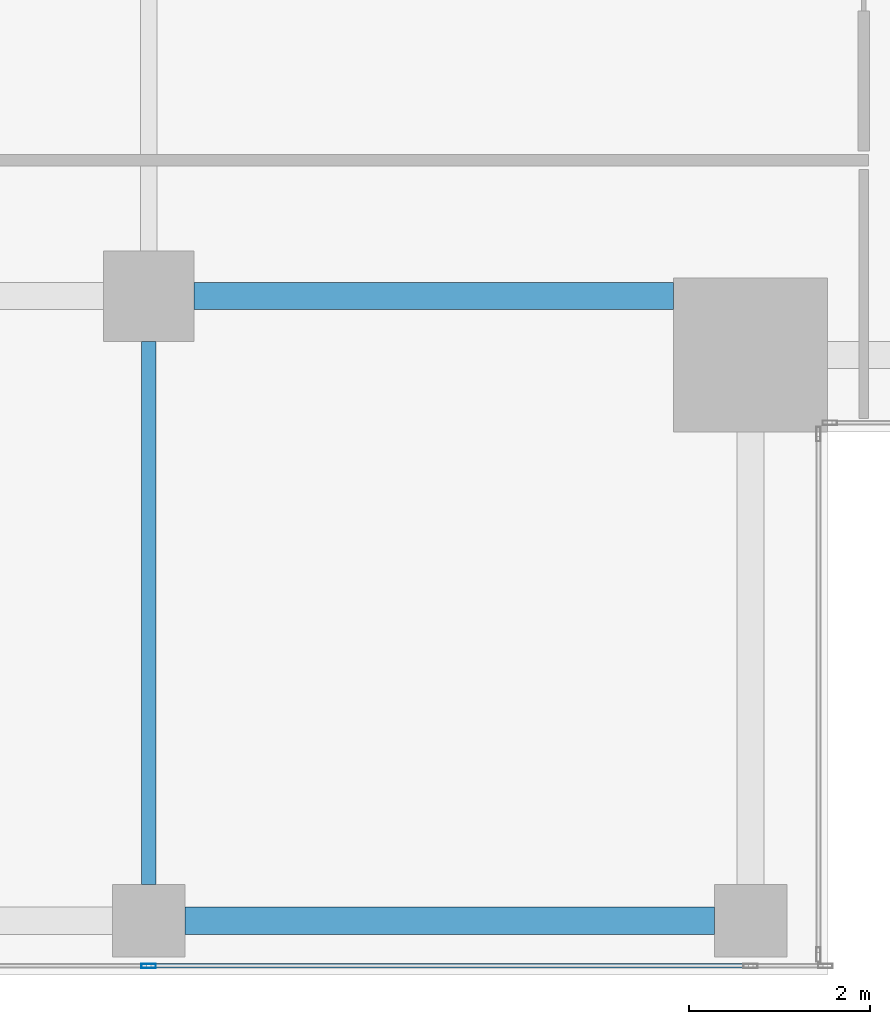
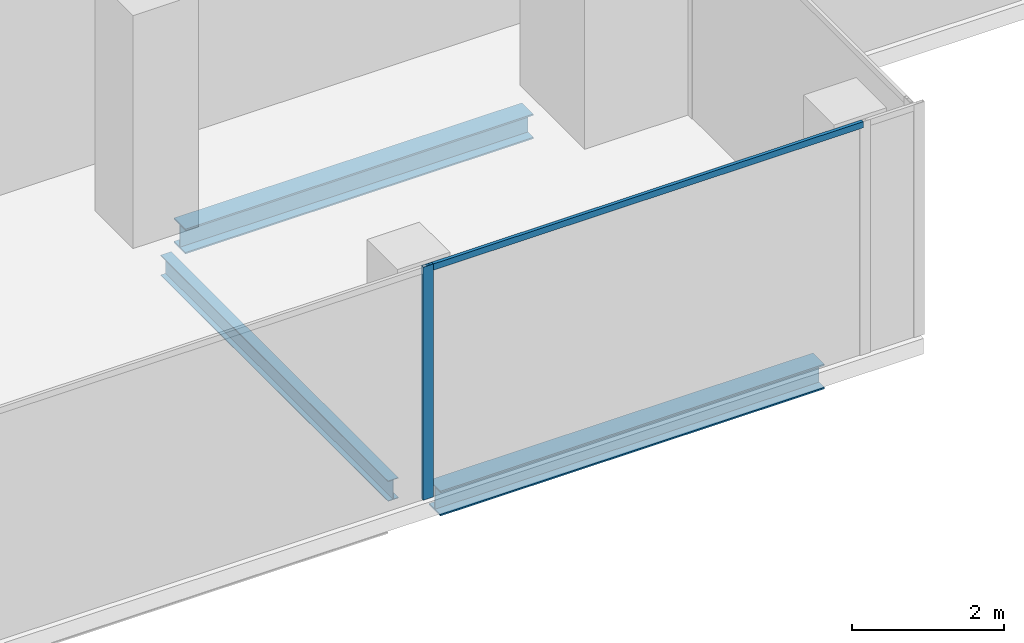
# One storey, part 7 of 29: 3 beams, 2 members, 1 element without a shape of its own.
"""IFC4 building model written with IfcOpenShell, lengths in metres."""

import ifcopenshell
import ifcopenshell.guid

model = None  # the IFC model being written
_history = None  # IfcOwnerHistory: only IFC2X3 demands one
_inside = {}  # id of a spatial element -> (the spatial element, [elements in it])
_under = {}  # id of a project, library or spatial element -> (it, [spatial elements below it])
_declared = {}  # id of a project -> (the project, [libraries it declares])
_typed = {}  # id of a type object -> (the type object, [elements of that type])
_made_of = {}  # id of a material, layer set ... -> (it, [elements and type objects made of it])


def new_model(schema):
    """Start an empty IFC model of exactly this schema.

    Asked for "IFC4X3", IfcOpenShell would pick the latest addendum, in which some entities
    have other attributes; the version numbers below select the first issue.
    IFC2X3 requires an IfcOwnerHistory on every rooted entity: one is made here for all.
    """
    global model, _history
    if schema == "IFC4X3":
        model = ifcopenshell.file(schema_version=(4, 3, 0, 0))
    else:
        model = ifcopenshell.file(schema=schema)
    _inside.clear()
    _under.clear()
    _declared.clear()
    _typed.clear()
    _made_of.clear()
    _history = None
    if model.schema == "IFC2X3":
        org = make("IfcOrganization", Name="unknown")
        user = make(
            "IfcPersonAndOrganization",
            ThePerson=make("IfcPerson", FamilyName="unknown"),
            TheOrganization=org,
        )
        app = make(
            "IfcApplication",
            ApplicationDeveloper=org,
            Version="unknown",
            ApplicationFullName="unknown",
            ApplicationIdentifier="unknown",
        )
        _history = make(
            "IfcOwnerHistory",
            OwningUser=user,
            OwningApplication=app,
            ChangeAction="ADDED",
            CreationDate=0,
        )
    return model


def make(cls, **values):
    """One entity of the class cls with the attributes given. An attribute that is None is left unset."""
    return model.create_entity(
        cls, **{name: value for name, value in values.items() if value is not None}
    )


def rooted(cls, **values):
    """An entity with a GlobalId (a new one), such as an element, a storey or a relation."""
    return make(cls, GlobalId=ifcopenshell.guid.new(), OwnerHistory=_history, **values)


def si_unit(unit_type, name, prefix=None):
    """IfcSIUnit, for example si_unit("LENGTHUNIT", "METRE", prefix="MILLI")."""
    return make("IfcSIUnit", UnitType=unit_type, Prefix=prefix, Name=name)


def assignment(units):
    """IfcUnitAssignment: the units of a project."""
    return None if units is None else make("IfcUnitAssignment", Units=units)


def point(xyz):
    """IfcCartesianPoint."""
    return None if xyz is None else make("IfcCartesianPoint", Coordinates=xyz)


def direction(xyz):
    """IfcDirection."""
    return None if xyz is None else make("IfcDirection", DirectionRatios=xyz)


def frame(location, z_axis=None, x_axis=None):
    """IfcAxis2Placement3D, a coordinate frame: its origin and axes. An axis left out is left unset."""
    return make(
        "IfcAxis2Placement3D",
        Location=point(location),
        Axis=direction(z_axis),
        RefDirection=direction(x_axis),
    )


def frame_2d(location, x_axis=None):
    """IfcAxis2Placement2D, a coordinate frame in the plane: its origin and x axis."""
    return make(
        "IfcAxis2Placement2D", Location=point(location), RefDirection=direction(x_axis)
    )


def origin():
    """The frame at (0, 0, 0) with its axes left unset."""
    return frame((0.0, 0.0, 0.0))


def origin_2d():
    """The frame at (0, 0) in the plane with its x axis left unset."""
    return frame_2d((0.0, 0.0))


def place(relative_to, where):
    """IfcLocalPlacement: puts the frame where relative to a parent placement (None: the world)."""
    return make(
        "IfcLocalPlacement", PlacementRelTo=relative_to, RelativePlacement=where
    )


def context(
    kind, dimensions, precision=None, world=None, true_north=None, identifier=None
):
    """IfcGeometricRepresentationContext, for example the 3D "Model" context."""
    return make(
        "IfcGeometricRepresentationContext",
        ContextIdentifier=identifier,
        ContextType=kind,
        CoordinateSpaceDimension=dimensions,
        Precision=precision,
        WorldCoordinateSystem=world,
        TrueNorth=true_north,
    )


def subcontext(parent, identifier, kind, view, scale=None):
    """IfcGeometricRepresentationSubContext, for example "Body" below "Model"."""
    return make(
        "IfcGeometricRepresentationSubContext",
        ContextIdentifier=identifier,
        ContextType=kind,
        ParentContext=parent,
        TargetScale=scale,
        TargetView=view,
    )


def project(units=None, contexts=None):
    """IfcProject with its units and contexts."""
    return rooted(
        "IfcProject",
        Name="project",
        RepresentationContexts=contexts,
        UnitsInContext=assignment(units),
    )


def spatial(cls, under=None, at=None, **own):
    """A site, building, storey or space (cls), placed at a placement, below another one or the project."""
    s = rooted(cls, ObjectPlacement=at, **own)
    if under is not None:
        _under.setdefault(under.id(), (under, []))[1].append(s)
    return s


def profile(cls, at=None, kind="AREA", **sizes):
    """A parametric profile (cls). Its sizes go by their IFC names, for example OverallWidth=200.0."""
    return make(cls, ProfileType=kind, Position=at, **sizes)


def hollow_rectangle(**sizes):
    """IfcRectangleHollowProfileDef."""
    return profile("IfcRectangleHollowProfileDef", **sizes)


def i_section(**sizes):
    """IfcIShapeProfileDef."""
    return profile("IfcIShapeProfileDef", **sizes)


def extrude(swept, where, along, depth):
    """IfcExtrudedAreaSolid: the profile swept, set in the frame where, extruded along a direction by depth."""
    return make(
        "IfcExtrudedAreaSolid",
        SweptArea=swept,
        Position=where,
        ExtrudedDirection=direction(along),
        Depth=depth,
    )


def shape(context_of_items, identifier, shape_type, items):
    """IfcShapeRepresentation: the items that make up one representation, for example the "Body"."""
    return make(
        "IfcShapeRepresentation",
        ContextOfItems=context_of_items,
        RepresentationIdentifier=identifier,
        RepresentationType=shape_type,
        Items=items,
    )


def source(mapping_origin, context_of_items, identifier, shape_type, items):
    """IfcRepresentationMap: a shape defined once, which mapped items show again and again."""
    return make(
        "IfcRepresentationMap",
        MappingOrigin=mapping_origin,
        MappedRepresentation=shape(context_of_items, identifier, shape_type, items),
    )


def transform(
    local_origin,
    x_axis=None,
    y_axis=None,
    z_axis=None,
    scale=None,
    scale2=None,
    scale3=None,
    uniform=True,
):
    """IfcCartesianTransformationOperator3D, or its non-uniform kind. x_axis, y_axis, z_axis: its Axis1, 2, 3."""
    if uniform:
        return make(
            "IfcCartesianTransformationOperator3D",
            Axis1=direction(x_axis),
            Axis2=direction(y_axis),
            LocalOrigin=point(local_origin),
            Scale=scale,
            Axis3=direction(z_axis),
        )
    return make(
        "IfcCartesianTransformationOperator3DnonUniform",
        Axis1=direction(x_axis),
        Axis2=direction(y_axis),
        LocalOrigin=point(local_origin),
        Scale=scale,
        Axis3=direction(z_axis),
        Scale2=scale2,
        Scale3=scale3,
    )


def mapped(mapping_source, mapping_target):
    """IfcMappedItem: shows the shape of a source again, moved by a transform."""
    return make(
        "IfcMappedItem", MappingSource=mapping_source, MappingTarget=mapping_target
    )


def material(Name=None, Category=None):
    """IfcMaterial."""
    return make("IfcMaterial", Name=Name, Category=Category)


def material_profile(
    of_material, cross_section, Name=None, Category=None, Priority=None
):
    """IfcMaterialProfile: a cross section and its material."""
    return make(
        "IfcMaterialProfile",
        Name=Name,
        Material=of_material,
        Profile=cross_section,
        Priority=Priority,
        Category=Category,
    )


def profile_set(profiles, Name=None, composite=None):
    """IfcMaterialProfileSet."""
    return make(
        "IfcMaterialProfileSet",
        Name=Name,
        MaterialProfiles=profiles,
        CompositeProfile=composite,
    )


def made_of(thing, what):
    """Note that an element or type object is made of a material, layer set ...; save() writes the relation."""
    if what is not None:
        _made_of.setdefault(what.id(), (what, []))[1].append(thing)
    return thing


def type_object(cls, material=None, **own):
    """A type object (cls), such as IfcWallType, which elements share."""
    return made_of(rooted(cls, **own), material)


def element(
    cls,
    number,
    at=None,
    inside=None,
    cuts=None,
    type_object=None,
    material=None,
    context=None,
    identifier="Body",
    shape_type=None,
    held_by="IfcProductDefinitionShape",
    body=None,
    shapes=None,
    **own,
):
    """One element of the class cls, such as IfcWall. Its Tag is "e" and its number.

    at: its placement. inside: the storey or other place that contains it. cuts: it is an
    opening in that element (IfcRelVoidsElement). A single representation is given by context,
    identifier, shape_type and body (its items); several are given by shapes. held_by: the class
    of the entity that holds the representations. save() writes the other relations.
    """
    e = rooted(cls, Tag="e%d" % number, ObjectPlacement=at, **own)
    if body is not None:
        shapes = [shape(context, identifier, shape_type, body)]
    if shapes is not None:
        e.Representation = make(held_by, Representations=shapes)
    if inside is not None:
        _inside.setdefault(inside.id(), (inside, []))[1].append(e)
    if cuts is not None:
        rooted(
            "IfcRelVoidsElement", RelatingBuildingElement=cuts, RelatedOpeningElement=e
        )
    if type_object is not None:
        _typed.setdefault(type_object.id(), (type_object, []))[1].append(e)
    return made_of(e, material)


def aggregate(whole, parts):
    """IfcRelAggregates: a whole, such as a stair, and the parts it consists of."""
    return rooted("IfcRelAggregates", RelatingObject=whole, RelatedObjects=parts)


def save(model, path):
    """Write the relations noted so far, then the file.

    IfcRelAggregates (storeys below a building ...), IfcRelContainedInSpatialStructure (elements
    in a storey), IfcRelDefinesByType, IfcRelAssociatesMaterial and IfcRelDeclares: one each for
    every whole, place, type object, material and project.
    """
    for whole, parts in _under.values():
        aggregate(whole, parts)
    for where, things in _inside.values():
        rooted(
            "IfcRelContainedInSpatialStructure",
            RelatedElements=things,
            RelatingStructure=where,
        )
    for kind, things in _typed.values():
        rooted("IfcRelDefinesByType", RelatedObjects=things, RelatingType=kind)
    for what, things in _made_of.values():
        rooted("IfcRelAssociatesMaterial", RelatedObjects=things, RelatingMaterial=what)
    for by, libraries in _declared.values():
        rooted("IfcRelDeclares", RelatingContext=by, RelatedDefinitions=libraries)
    model.write(path)


model = new_model("IFC4")

# Units and contexts
model_context = context("Model", 3, precision=1e-05, world=origin(), true_north=direction((0.0, 1.0)))
body_context = subcontext(model_context, "Body", "Model", "MODEL_VIEW")
ifc_project = project(units=[si_unit("LENGTHUNIT", "METRE"), si_unit("AREAUNIT", "SQUARE_METRE"), si_unit("VOLUMEUNIT", "CUBIC_METRE"), si_unit("PLANEANGLEUNIT", "RADIAN"), si_unit("MASSUNIT", "GRAM", prefix="KILO")], contexts=[model_context])

# Site, building, storey
site_placement = place(None, origin())
site = spatial("IfcSite", under=ifc_project, at=site_placement, CompositionType="ELEMENT")
building_placement = place(site_placement, origin())
building = spatial("IfcBuilding", under=site, at=building_placement, Name="Khomas Fold Tower", CompositionType="ELEMENT")
storey_placement = place(building_placement, frame((0.0, 0.0, 314.199951171875)))
storey = spatial("IfcBuildingStorey", under=building, at=storey_placement, Name="L71", CompositionType="ELEMENT", Elevation=314.199951171875)

# Beams
ifc_material_1 = material(Name="Steel S355", Category="steel")
ifc_material_profile_1 = material_profile(ifc_material_1, i_section(OverallWidth=0.300048828125, OverallDepth=0.39990234375, WebThickness=0.013427734375, FlangeThickness=0.02392578125, at=origin_2d()), Name="HE 400 B")
ifc_profile_set_1 = profile_set([ifc_material_profile_1], Name="Steel S355")
beam_type_1 = type_object("IfcBeamType", Name="HE 400 B spandrel SB5", PredefinedType="SPANDREL", material=ifc_profile_set_1)
shared_shape_1 = source(origin(), body_context, "Body", "SweptSolid", [
    extrude(i_section(OverallWidth=0.300048828125, OverallDepth=0.39990234375, WebThickness=0.013427734375, FlangeThickness=0.02392578125, at=origin_2d()), origin(), (0.0, 0.0, 1.0), 5.85009765625),
])
beam_1_placement = place(storey_placement, frame((34.89990234375, 6.60009765625, -0.449951171875), z_axis=(1.0, 0.0, 0.0), x_axis=(0.0, 1.0, 0.0)))
element("IfcBeam", 1, at=beam_1_placement, inside=storey, type_object=beam_type_1, Name="SB5", PredefinedType="SPANDREL", context=body_context, shape_type="MappedRepresentation", body=[
    mapped(shared_shape_1, transform((0.0, 0.0, 0.0))),
])
ifc_material_2 = material(Name="Steel S355", Category="steel")
ifc_material_profile_2 = material_profile(ifc_material_2, i_section(OverallWidth=0.300048828125, OverallDepth=0.39990234375, WebThickness=0.013427734375, FlangeThickness=0.02392578125, at=origin_2d()), Name="HE 400 B")
ifc_profile_set_2 = profile_set([ifc_material_profile_2], Name="Steel S355")
beam_type_2 = type_object("IfcBeamType", Name="HE 400 B beam GB1", PredefinedType="BEAM", material=ifc_profile_set_2)
shared_shape_2 = source(origin(), body_context, "Body", "SweptSolid", [
    extrude(i_section(OverallWidth=0.300048828125, OverallDepth=0.39990234375, WebThickness=0.013427734375, FlangeThickness=0.02392578125, at=origin_2d()), origin(), (0.0, 0.0, 1.0), 5.300048828125),
])
beam_2_placement = place(storey_placement, frame((35.0, 13.5, -0.449951171875), z_axis=(1.0, 0.0, 0.0), x_axis=(0.0, 1.0, 0.0)))
element("IfcBeam", 2, at=beam_2_placement, inside=storey, type_object=beam_type_2, Name="GB1", PredefinedType="BEAM", context=body_context, shape_type="MappedRepresentation", body=[
    mapped(shared_shape_2, transform((0.0, 0.0, 0.0))),
])
ifc_material_3 = material(Name="Steel S355", Category="steel")
ifc_material_profile_3 = material_profile(ifc_material_3, i_section(OverallWidth=0.159912109375, OverallDepth=0.330078125, WebThickness=0.007568359375, FlangeThickness=0.011474609375, at=origin_2d()), Name="IPE 330")
ifc_profile_set_3 = profile_set([ifc_material_profile_3], Name="Steel S355")
beam_type_3 = type_object("IfcBeamType", Name="IPE 330 beam JB1", PredefinedType="BEAM", material=ifc_profile_set_3)
shared_shape_3 = source(origin(), body_context, "Body", "SweptSolid", [
    extrude(i_section(OverallWidth=0.159912109375, OverallDepth=0.330078125, WebThickness=0.007568359375, FlangeThickness=0.011474609375, at=origin_2d()), origin(), (0.0, 0.0, 1.0), 6.0),
])
beam_3_placement = place(storey_placement, frame((34.5, 7.0, -0.4150390625), z_axis=(0.0, 1.0, 0.0), x_axis=(-1.0, 0.0, 0.0)))
element("IfcBeam", 3, at=beam_3_placement, inside=storey, type_object=beam_type_3, Name="JB1", PredefinedType="BEAM", context=body_context, shape_type="MappedRepresentation", body=[
    mapped(shared_shape_3, transform((0.0, 0.0, 0.0))),
])

# Curtain wall, members
ifc_material_4 = material(Name="Aluminium framed double glazing", Category="aluminium")
curtain_wall_type = type_object("IfcCurtainWallType", Name="SK-Unitised clear-glass wall, upper floors CW3", PredefinedType="NOTDEFINED", material=ifc_material_4)
curtain_wall_placement = place(storey_placement, origin())
curtain_wall = element("IfcCurtainWall", 4, at=curtain_wall_placement, inside=storey, type_object=curtain_wall_type, Name="CW3 run L71 00-0", PredefinedType="NOTDEFINED")
ifc_material_5 = material(Name="Aluminium", Category="aluminium")
ifc_material_profile_4 = material_profile(ifc_material_5, hollow_rectangle(XDim=0.050048828125, YDim=0.159912109375, WallThickness=0.00390625, at=origin_2d()), Name="SK-Unitised clear-glass wall, upper floors mullion CW3-M")
ifc_profile_set_4 = profile_set([ifc_material_profile_4], Name="Aluminium")
member_type_1 = type_object("IfcMemberType", Name="SK-Unitised clear-glass wall, upper floors mullion CW3-M", PredefinedType="MULLION", material=ifc_profile_set_4)
shared_shape_4 = source(origin(), body_context, "Body", "SweptSolid", [
    extrude(hollow_rectangle(XDim=0.050048828125, YDim=0.159912109375, WallThickness=0.00390625, at=origin_2d()), origin(), (0.0, 0.0, 1.0), 3.75),
])
member_1_placement = place(storey_placement, frame((34.5, 6.10009765625, 0.0), z_axis=(0.0, 0.0, 1.0), x_axis=(0.0, 1.0, 0.0)))
member_1 = element("IfcMember", 5, at=member_1_placement, type_object=member_type_1, Name="CW3 mullion 5", PredefinedType="MULLION", context=body_context, shape_type="MappedRepresentation", body=[
    mapped(shared_shape_4, transform((0.0, 0.0, 0.0))),
])
ifc_material_6 = material(Name="Aluminium", Category="aluminium")
ifc_material_profile_5 = material_profile(ifc_material_6, hollow_rectangle(XDim=0.050048828125, YDim=0.10009765625, WallThickness=0.00390625, at=origin_2d()), Name="SK-Unitised clear-glass wall, upper floors transom CW3-T")
ifc_profile_set_5 = profile_set([ifc_material_profile_5], Name="Aluminium")
member_type_2 = type_object("IfcMemberType", Name="SK-Unitised clear-glass wall, upper floors transom CW3-T", PredefinedType="USERDEFINED", material=ifc_profile_set_5)
shared_shape_5 = source(origin(), body_context, "Body", "SweptSolid", [
    extrude(hollow_rectangle(XDim=0.050048828125, YDim=0.10009765625, WallThickness=0.00390625, at=origin_2d()), origin(), (0.0, 0.0, 1.0), 6.60009765625),
])
member_2_placement = place(storey_placement, frame((34.52490234375, 6.10009765625, 3.699951171875), z_axis=(1.0, 0.0, 0.0), x_axis=(0.0, 1.0, 0.0)))
member_2 = element("IfcMember", 6, at=member_2_placement, type_object=member_type_2, Name="CW3 transom 5", ObjectType="TRANSOM", PredefinedType="USERDEFINED", context=body_context, shape_type="MappedRepresentation", body=[
    mapped(shared_shape_5, transform((0.0, 0.0, 0.0))),
])
aggregate(curtain_wall, [member_1, member_2])

save(model, "model.ifc")
